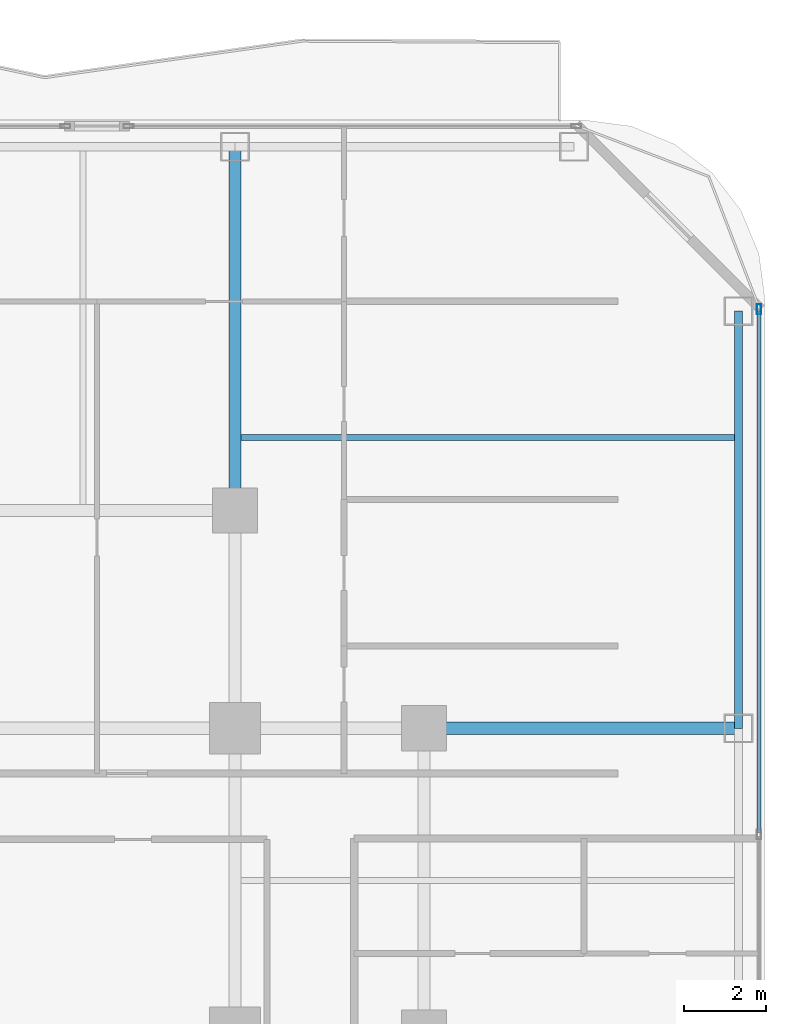
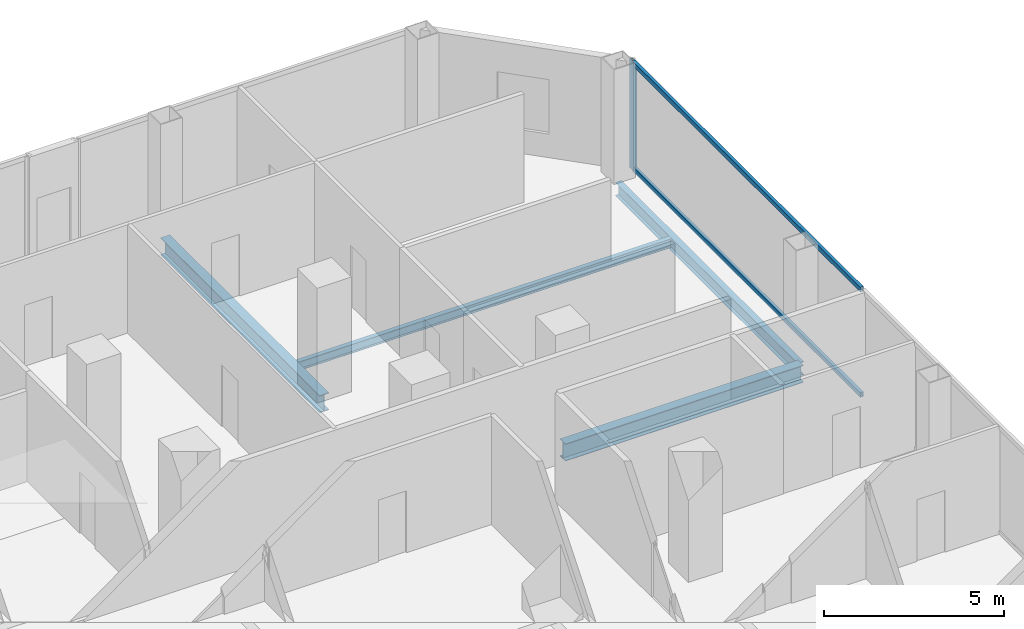
# One storey, part 17 of 27: 4 beams, 3 members, 1 element without a shape of its own.
"""IFC4 building model written with IfcOpenShell, lengths in metres."""

from ifc_helpers import new_model, si_unit, direction, frame, origin, origin_2d, place, context, subcontext, project, spatial, hollow_rectangle, i_section, extrude, material, layer, layer_set, material_profile, profile_set, type_object, element, aggregate, save


model = new_model("IFC4")

# Units and contexts
model_context = context("Model", 3, precision=1e-05, world=origin(), true_north=direction((0.0, 1.0)))
body_context = subcontext(model_context, "Body", "Model", "MODEL_VIEW")
ifc_project = project(units=[si_unit("LENGTHUNIT", "METRE"), si_unit("AREAUNIT", "SQUARE_METRE"), si_unit("VOLUMEUNIT", "CUBIC_METRE"), si_unit("PLANEANGLEUNIT", "RADIAN"), si_unit("MASSUNIT", "GRAM", prefix="KILO")], contexts=[model_context])

# Site, building, storey
site_placement = place(None, origin())
site = spatial("IfcSite", under=ifc_project, at=site_placement, CompositionType="ELEMENT")
building_placement = place(site_placement, origin())
building = spatial("IfcBuilding", under=site, at=building_placement, Name="Khorvyn Point Tower", CompositionType="ELEMENT")
storey_placement = place(building_placement, frame((0.0, 0.0, 129.0)))
storey = spatial("IfcBuildingStorey", under=building, at=storey_placement, Name="L32", CompositionType="ELEMENT", Elevation=129.0)

# Curtain wall, members
ifc_material_1 = material(Name="Anodised aluminium 6063-T6 and laminated Low-E glass", Category="aluminium")
ifc_layer = layer(ifc_material_1, 0.18994140625)
ifc_layer_set = layer_set([ifc_layer], Name="Stick-Built Acoustic Curtain Wall CW-SYS-03")
curtain_wall_type = type_object("IfcCurtainWallType", Name="Stick-Built Acoustic Curtain Wall CW-SYS-03", PredefinedType="NOTDEFINED", material=ifc_layer_set)
curtain_wall_placement = place(storey_placement, origin())
curtain_wall = element("IfcCurtainWall", 1, at=curtain_wall_placement, inside=storey, type_object=curtain_wall_type, Name="Curtain Wall", PredefinedType="NOTDEFINED")
ifc_material_2 = material(Name="Anodised aluminium 6063-T6", Category="aluminium")
ifc_material_profile_1 = material_profile(ifc_material_2, hollow_rectangle(XDim=0.10009765625, YDim=0.239990234375, WallThickness=0.0048828125, at=origin_2d()))
ifc_profile_set_1 = profile_set([ifc_material_profile_1], Name="Anodised aluminium 6063-T6 ALU-MUL-100x240")
member_type_1 = type_object("IfcMemberType", Name="Anodised Aluminium 6063-T6 Mullion ALU-MUL-100x240", PredefinedType="MULLION", material=ifc_profile_set_1)
member_1_placement = place(storey_placement, frame((27.550048828125, 25.0, 0.0), z_axis=(0.0, 0.0, 1.0), x_axis=(1.0, 0.0, 0.0)))
member_1 = element("IfcMember", 2, at=member_1_placement, type_object=member_type_1, Name="Transom", PredefinedType="MULLION", context=body_context, shape_type="SweptSolid", body=[
    extrude(hollow_rectangle(XDim=0.10009765625, YDim=0.239990234375, WallThickness=0.0048828125, at=origin_2d()), origin(), (0.0, 0.0, 1.0), 3.679931640625),
])
ifc_material_profile_2 = material_profile(ifc_material_2, hollow_rectangle(XDim=0.10009765625, YDim=0.159912109375, WallThickness=0.00439453125, at=origin_2d()))
ifc_profile_set_2 = profile_set([ifc_material_profile_2], Name="Anodised aluminium 6063-T6 ALU-TRN-100x160")
member_type_2 = type_object("IfcMemberType", Name="Anodised Aluminium 6063-T6 Transom ALU-TRN-100x160", PredefinedType="USERDEFINED", material=ifc_profile_set_2)
member_2_placement = place(storey_placement, frame((27.550048828125, 24.949951171875, 0.050048828125), z_axis=(0.0, -1.0, 0.0), x_axis=(1.0, 0.0, 0.0)))
member_2 = element("IfcMember", 3, at=member_2_placement, type_object=member_type_2, Name="Transom", ObjectType="TRANSOM", PredefinedType="USERDEFINED", context=body_context, shape_type="SweptSolid", body=[
    extrude(hollow_rectangle(XDim=0.10009765625, YDim=0.159912109375, WallThickness=0.00439453125, at=origin_2d()), origin(), (0.0, 0.0, 1.0), 12.683349609375),
])
member_3_placement = place(storey_placement, frame((27.550048828125, 24.949951171875, 3.6298828125), z_axis=(0.0, -1.0, 0.0), x_axis=(1.0, 0.0, 0.0)))
member_3 = element("IfcMember", 4, at=member_3_placement, type_object=member_type_2, Name="Transom", ObjectType="TRANSOM", PredefinedType="USERDEFINED", context=body_context, shape_type="SweptSolid", body=[
    extrude(hollow_rectangle(XDim=0.10009765625, YDim=0.159912109375, WallThickness=0.00439453125, at=origin_2d()), origin(), (0.0, 0.0, 1.0), 12.683349609375),
])
aggregate(curtain_wall, [member_1, member_2, member_3])

# Beams
ifc_material_3 = material(Name="Steel S355", Category="steel")
ifc_material_profile_3 = material_profile(ifc_material_3, i_section(OverallWidth=0.300048828125, OverallDepth=0.587890625, WebThickness=0.011962890625, FlangeThickness=0.02001953125, at=origin_2d()))
ifc_profile_set_3 = profile_set([ifc_material_profile_3], Name="Steel S355 H588x300x12x20")
beam_type_1 = type_object("IfcBeamType", Name="Steel S355 Beam H588x300x12x20", PredefinedType="BEAM", material=ifc_profile_set_3)
beam_1_placement = place(storey_placement, frame((19.39990234375, 14.800048828125, -0.513916015625), z_axis=(1.0, 0.0, 0.0), x_axis=(0.0, 1.0, 0.0)))
element("IfcBeam", 5, at=beam_1_placement, inside=storey, type_object=beam_type_1, Name="Beam", PredefinedType="BEAM", context=body_context, shape_type="SweptSolid", body=[
    extrude(i_section(OverallWidth=0.300048828125, OverallDepth=0.587890625, WebThickness=0.011962890625, FlangeThickness=0.02001953125, at=origin_2d()), origin(), (0.0, 0.0, 1.0), 7.650146484375),
])
beam_2_placement = place(storey_placement, frame((14.800048828125, 20.10009765625, -0.513916015625), z_axis=(0.0, 1.0, 0.0), x_axis=(-1.0, 0.0, 0.0)))
element("IfcBeam", 6, at=beam_2_placement, inside=storey, type_object=beam_type_1, Name="Beam", PredefinedType="BEAM", context=body_context, shape_type="SweptSolid", body=[
    extrude(i_section(OverallWidth=0.300048828125, OverallDepth=0.587890625, WebThickness=0.011962890625, FlangeThickness=0.02001953125, at=origin_2d()), origin(), (0.0, 0.0, 1.0), 8.849853515625),
])
ifc_material_profile_4 = material_profile(ifc_material_3, i_section(OverallWidth=0.14990234375, OverallDepth=0.300048828125, WebThickness=0.006591796875, FlangeThickness=0.009033203125, at=origin_2d()))
ifc_profile_set_4 = profile_set([ifc_material_profile_4], Name="Steel S355 H300x150x6.5x9")
beam_type_2 = type_object("IfcBeamType", Name="Steel S355 Joist H300x150x6.5x9", PredefinedType="JOIST", material=ifc_profile_set_4)
beam_3_placement = place(storey_placement, frame((14.949951171875, 21.875, -0.3701171875), z_axis=(1.0, 0.0, 0.0), x_axis=(0.0, 1.0, 0.0)))
element("IfcBeam", 7, at=beam_3_placement, inside=storey, type_object=beam_type_2, Name="Beam", PredefinedType="JOIST", context=body_context, shape_type="SweptSolid", body=[
    extrude(i_section(OverallWidth=0.14990234375, OverallDepth=0.300048828125, WebThickness=0.006591796875, FlangeThickness=0.009033203125, at=origin_2d()), origin(), (0.0, 0.0, 1.0), 12.0),
])
ifc_material_profile_5 = material_profile(ifc_material_3, i_section(OverallWidth=0.199951171875, OverallDepth=0.449951171875, WebThickness=0.009033203125, FlangeThickness=0.013916015625, at=origin_2d()))
ifc_profile_set_5 = profile_set([ifc_material_profile_5], Name="Steel S355 H450x200x9x14")
beam_type_3 = type_object("IfcBeamType", Name="Steel S355 Spandrel H450x200x9x14", PredefinedType="SPANDREL", material=ifc_profile_set_5)
beam_4_placement = place(storey_placement, frame((27.050048828125, 14.800048828125, -0.445068359375), z_axis=(0.0, 1.0, 0.0), x_axis=(-1.0, 0.0, 0.0)))
element("IfcBeam", 8, at=beam_4_placement, inside=storey, type_object=beam_type_3, Name="Beam", PredefinedType="SPANDREL", context=body_context, shape_type="SweptSolid", body=[
    extrude(i_section(OverallWidth=0.199951171875, OverallDepth=0.449951171875, WebThickness=0.009033203125, FlangeThickness=0.013916015625, at=origin_2d()), origin(), (0.0, 0.0, 1.0), 10.14990234375),
])

save(model, "model.ifc")
